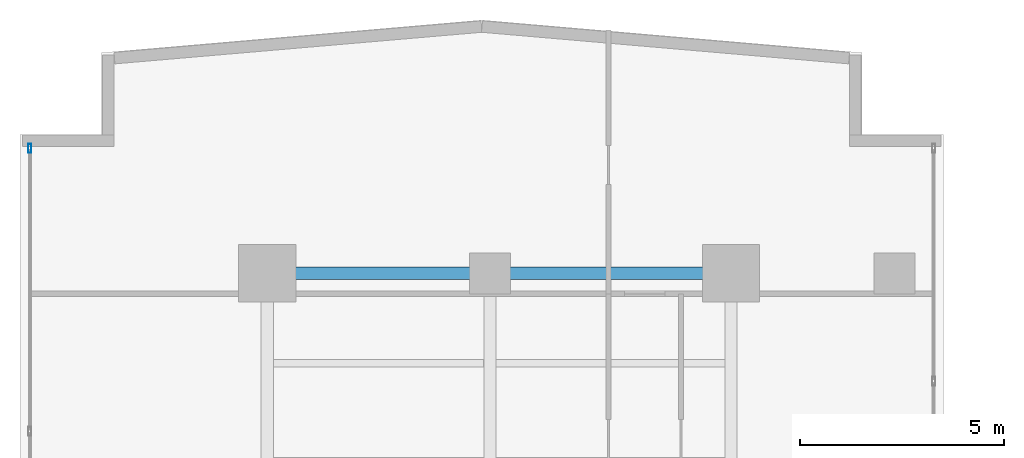
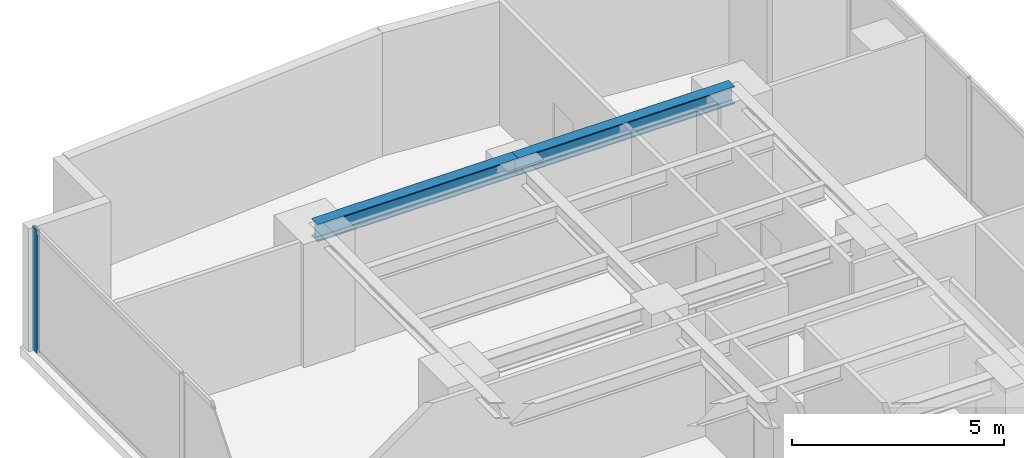
# One storey, part 16 of 26: 2 beams, 1 member, 1 element without a shape of its own.
"""IFC4 building model written with IfcOpenShell, lengths in metres."""

from ifc_helpers import new_model, si_unit, direction, frame, origin, origin_with_axes, origin_2d, place, context, subcontext, project, spatial, hollow_rectangle, i_section, extrude, source, transform, mapped, material, layer, layer_set, material_profile, profile_set, type_object, element, aggregate, save


model = new_model("IFC4")

# Units and contexts
model_context = context("Model", 3, precision=1e-05, world=origin(), true_north=direction((0.0, 1.0)))
body_context = subcontext(model_context, "Body", "Model", "MODEL_VIEW")
ifc_project = project(units=[si_unit("LENGTHUNIT", "METRE"), si_unit("AREAUNIT", "SQUARE_METRE"), si_unit("VOLUMEUNIT", "CUBIC_METRE"), si_unit("PLANEANGLEUNIT", "RADIAN"), si_unit("MASSUNIT", "GRAM", prefix="KILO")], contexts=[model_context])

# Site, building, storey
site_placement = place(None, origin())
site = spatial("IfcSite", under=ifc_project, at=site_placement, CompositionType="ELEMENT")
building_placement = place(site_placement, origin())
building = spatial("IfcBuilding", under=site, at=building_placement, Name="Kolvaren Waterfront Exchange", CompositionType="ELEMENT")
storey_placement = place(building_placement, frame((0.0, 0.0, 122.10009765625)))
storey = spatial("IfcBuildingStorey", under=building, at=storey_placement, Name="L31", CompositionType="ELEMENT", Elevation=122.10009765625)

# Beams
ifc_material_1 = material(Name="Steel S355", Category="steel")
ifc_material_profile_1 = material_profile(ifc_material_1, i_section(OverallWidth=0.300048828125, OverallDepth=0.5, WebThickness=0.014404296875, FlangeThickness=0.028076171875, FilletRadius=0.027099609375, at=origin_2d()), Name="HEB500")
ifc_profile_set_1 = profile_set([ifc_material_profile_1], Name="Steel S355")
beam_type = type_object("IfcBeamType", Name="STR-BM-HEB500", PredefinedType="BEAM", material=ifc_profile_set_1)
beam_1_placement = place(storey_placement, frame((7.449951171875, 44.60009765625, 3.289794921875), z_axis=(1.0, 0.0, 0.0), x_axis=(0.0, 1.0, 0.0)))
element("IfcBeam", 1, at=beam_1_placement, inside=storey, type_object=beam_type, Name="L31 north-arm girder 4A", PredefinedType="BEAM", context=body_context, shape_type="SweptSolid", body=[
    extrude(i_section(OverallWidth=0.300048828125, OverallDepth=0.5, WebThickness=0.014404296875, FlangeThickness=0.028076171875, FilletRadius=0.027099609375, at=origin_2d()), origin(), (0.0, 0.0, 1.0), 5.449951171875),
])
beam_2_placement = place(storey_placement, frame((12.89990234375, 44.60009765625, 3.289794921875), z_axis=(1.0, 0.0, 0.0), x_axis=(0.0, 1.0, 0.0)))
element("IfcBeam", 2, at=beam_2_placement, inside=storey, type_object=beam_type, Name="L31 north-arm girder 4B", PredefinedType="BEAM", context=body_context, shape_type="SweptSolid", body=[
    extrude(i_section(OverallWidth=0.300048828125, OverallDepth=0.5, WebThickness=0.014404296875, FlangeThickness=0.028076171875, FilletRadius=0.027099609375, at=origin_2d()), origin(), (0.0, 0.0, 1.0), 5.900146484375),
])

# Curtain wall, member
ifc_material_2 = material(Name="Anodised aluminium 6063-T6", Category="aluminium")
ifc_layer = layer(ifc_material_2, 0.219970703125, Name="Anodised aluminium 6063-T6")
ifc_layer_set = layer_set([ifc_layer], Name="Anodised aluminium 6063-T6")
curtain_wall_type = type_object("IfcCurtainWallType", Name="ARC-CW-SYS2", PredefinedType="USERDEFINED", material=ifc_layer_set)
curtain_wall_placement = place(storey_placement, origin())
curtain_wall = element("IfcCurtainWall", 3, at=curtain_wall_placement, inside=storey, type_object=curtain_wall_type, Name="L31 stick curtain wall CW2 (CW-L31-W)", ObjectType="STICK CURTAIN WALL", PredefinedType="USERDEFINED")
ifc_material_profile_2 = material_profile(ifc_material_2, hollow_rectangle(XDim=0.080078125, YDim=0.219970703125, WallThickness=0.0048828125, at=origin_2d()), Name="ALU-MUL-220x80x5")
ifc_profile_set_2 = profile_set([ifc_material_profile_2], Name="Anodised aluminium 6063-T6")
member_type = type_object("IfcMemberType", Name="ARC-CWM-220", PredefinedType="MULLION", material=ifc_profile_set_2)
shared_shape = source(origin_with_axes(), body_context, "Body", "SweptSolid", [
    extrude(hollow_rectangle(XDim=0.080078125, YDim=0.219970703125, WallThickness=0.0048828125, at=origin_2d()), origin(), (0.0, 0.0, 1.0), 3.539794921875),
])
member_placement = place(storey_placement, frame((1.639892578125, 47.659912109375, 0.0), z_axis=(0.0, 0.0, 1.0), x_axis=(-1.0, 0.0, 0.0)))
member = element("IfcMember", 4, at=member_placement, type_object=member_type, Name="CW2 mullion 7", PredefinedType="MULLION", context=body_context, shape_type="MappedRepresentation", body=[
    mapped(shared_shape, transform((0.0, 0.0, 0.0), x_axis=(1.0, 0.0, 0.0), y_axis=(0.0, 1.0, 0.0), z_axis=(0.0, 0.0, 1.0), scale=1.0)),
])
aggregate(curtain_wall, [member])

save(model, "model.ifc")
